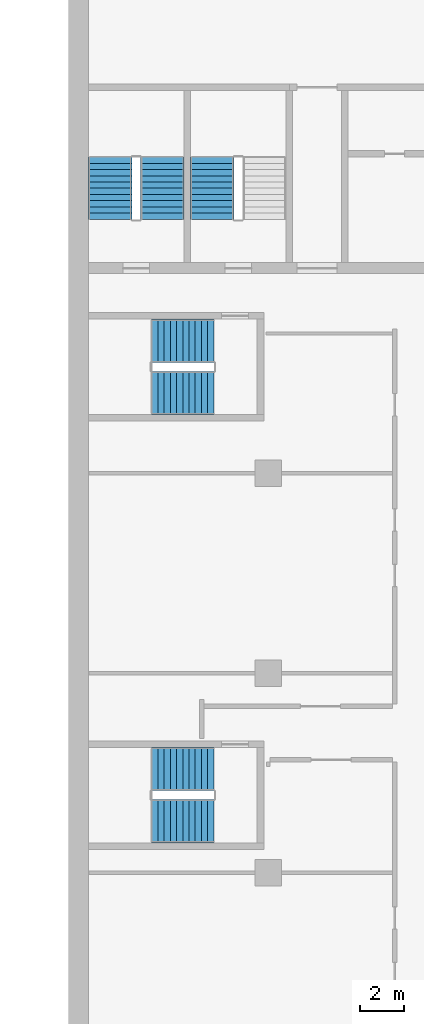
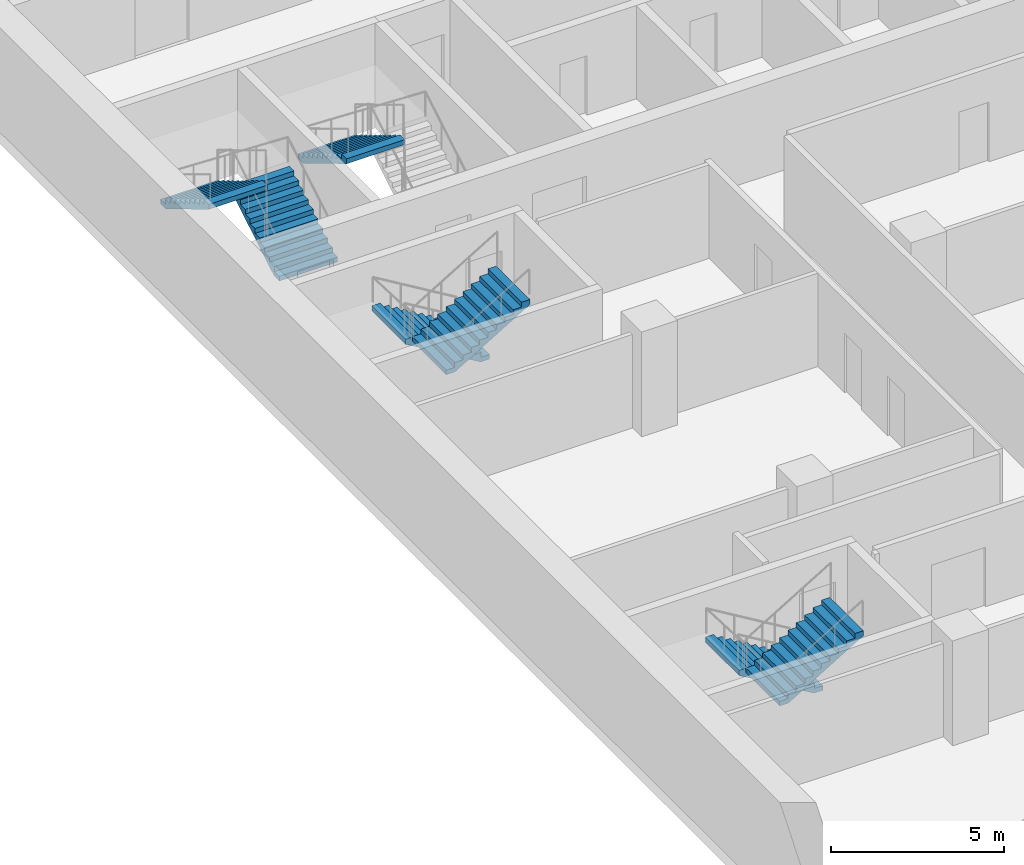
# One storey, part 15 of 22: 7 stair flights, 4 elements without a shape of their own.
"""IFC4 building model written with IfcOpenShell, lengths in metres."""

from ifc_helpers import new_model, si_unit, direction, frame, origin, place, context, subcontext, project, spatial, polyline, outline, extrude, material, type_object, element, aggregate, save


model = new_model("IFC4")

# Units and contexts
model_context = context("Model", 3, precision=1e-05, world=origin(), true_north=direction((0.0, 1.0)))
body_context = subcontext(model_context, "Body", "Model", "MODEL_VIEW")
ifc_project = project(units=[si_unit("LENGTHUNIT", "METRE"), si_unit("AREAUNIT", "SQUARE_METRE"), si_unit("VOLUMEUNIT", "CUBIC_METRE"), si_unit("PLANEANGLEUNIT", "RADIAN"), si_unit("MASSUNIT", "GRAM", prefix="KILO")], contexts=[model_context])

# Site, building, storey
site_placement = place(None, origin())
site = spatial("IfcSite", under=ifc_project, at=site_placement, CompositionType="ELEMENT")
building_placement = place(site_placement, origin())
building = spatial("IfcBuilding", under=site, at=building_placement, Name="Hunhe Ridgeline Campus", CompositionType="ELEMENT")
storey_placement = place(building_placement, frame((0.0, 0.0, 159.699951171875)))
storey = spatial("IfcBuildingStorey", under=building, at=storey_placement, Name="L40", CompositionType="ELEMENT", Elevation=159.699951171875)

# Stair, stair flights
ifc_material = material(Name="Concrete C40", Category="concrete")
stair_type = type_object("IfcStairType", Name="Reinforced concrete dog-leg stair 1950 Concrete C40", PredefinedType="HALF_TURN_STAIR", material=ifc_material)
stair_1_placement = place(storey_placement, origin())
stair_1 = element("IfcStair", 1, at=stair_1_placement, inside=storey, type_object=stair_type, Name="L40 S3", PredefinedType="HALF_TURN_STAIR")
stair_flight_type = type_object("IfcStairFlightType", Name="Reinforced concrete stair flight 1950 Concrete C40", PredefinedType="STRAIGHT", material=ifc_material)
stair_flight_1_placement = place(storey_placement, frame((4.22509765625, 65.449951171875, 0.0), z_axis=(0.0, 0.0, 1.0), x_axis=(0.0, 1.0, 0.0)))
stair_flight_1 = element("IfcStairFlight", 2, at=stair_flight_1_placement, type_object=stair_flight_type, Name="ST3 flight 1", NumberOfRisers=11, NumberOfTreads=10, PredefinedType="STRAIGHT", RiserHeight=0.168181818, TreadLength=0.28, context=body_context, shape_type="SweptSolid", body=[
    extrude(outline(polyline([(0.0, 0.0), (0.0, 0.168212890625), (0.280029296875, 0.168212890625), (0.280029296875, 0.33642578125), (0.56005859375, 0.33642578125), (0.56005859375, 0.504638671875), (0.840087890625, 0.504638671875), (0.840087890625, 0.672607421875), (1.1201171875, 0.672607421875), (1.1201171875, 0.8408203125), (1.39990234375, 0.8408203125), (1.39990234375, 1.009033203125), (1.679931640625, 1.009033203125), (1.679931640625, 1.17724609375), (1.9599609375, 1.17724609375), (1.9599609375, 1.345458984375), (2.239990234375, 1.345458984375), (2.239990234375, 1.513671875), (2.52001953125, 1.513671875), (2.52001953125, 1.681884765625), (2.800048828125, 1.681884765625), (2.800048828125, 1.85009765625), (2.800048828125, 1.5068359375), (0.291015625, 0.0), (0.0, 0.0)])), frame((0.0, 0.97509765625, 0.0), z_axis=(0.0, -1.0, 0.0), x_axis=(1.0, 0.0, 0.0)), (0.0, 0.0, 1.0), 1.949951171875),
    extrude(outline(polyline([(0.030029296875, 0.030029296875), (0.030029296875, 0.13818359375), (0.31005859375, 0.13818359375), (0.31005859375, 0.306396484375), (0.590087890625, 0.306396484375), (0.590087890625, 0.474609375), (0.8701171875, 0.474609375), (0.8701171875, 0.642578125), (1.14990234375, 0.642578125), (1.14990234375, 0.810791015625), (1.429931640625, 0.810791015625), (1.429931640625, 0.97900390625), (1.7099609375, 0.97900390625), (1.7099609375, 1.147216796875), (1.989990234375, 1.147216796875), (1.989990234375, 1.3154296875), (2.27001953125, 1.3154296875), (2.27001953125, 1.483642578125), (2.550048828125, 1.483642578125), (2.550048828125, 1.65185546875), (2.77001953125, 1.65185546875), (2.77001953125, 1.52392578125), (0.28271484375, 0.030029296875), (0.030029296875, 0.030029296875)])), frame((0.0, -0.070068359375, 0.0), z_axis=(0.0, -1.0, 0.0), x_axis=(1.0, 0.0, 0.0)), (0.0, 0.0, 1.0), 0.019775390625),
    extrude(outline(polyline([(0.030029296875, 0.030029296875), (0.030029296875, 0.13818359375), (0.31005859375, 0.13818359375), (0.31005859375, 0.306396484375), (0.590087890625, 0.306396484375), (0.590087890625, 0.474609375), (0.8701171875, 0.474609375), (0.8701171875, 0.642578125), (1.14990234375, 0.642578125), (1.14990234375, 0.810791015625), (1.429931640625, 0.810791015625), (1.429931640625, 0.97900390625), (1.7099609375, 0.97900390625), (1.7099609375, 1.147216796875), (1.989990234375, 1.147216796875), (1.989990234375, 1.3154296875), (2.27001953125, 1.3154296875), (2.27001953125, 1.483642578125), (2.550048828125, 1.483642578125), (2.550048828125, 1.65185546875), (2.77001953125, 1.65185546875), (2.77001953125, 1.52392578125), (0.28271484375, 0.030029296875), (0.030029296875, 0.030029296875)])), frame((0.0, 0.010009765625, 0.0), z_axis=(0.0, -1.0, 0.0), x_axis=(1.0, 0.0, 0.0)), (0.0, 0.0, 1.0), 0.019775390625),
    extrude(outline(polyline([(0.030029296875, 0.030029296875), (0.030029296875, 0.13818359375), (0.31005859375, 0.13818359375), (0.31005859375, 0.306396484375), (0.590087890625, 0.306396484375), (0.590087890625, 0.474609375), (0.8701171875, 0.474609375), (0.8701171875, 0.642578125), (1.14990234375, 0.642578125), (1.14990234375, 0.810791015625), (1.429931640625, 0.810791015625), (1.429931640625, 0.97900390625), (1.7099609375, 0.97900390625), (1.7099609375, 1.147216796875), (1.989990234375, 1.147216796875), (1.989990234375, 1.3154296875), (2.27001953125, 1.3154296875), (2.27001953125, 1.483642578125), (2.550048828125, 1.483642578125), (2.550048828125, 1.65185546875), (2.77001953125, 1.65185546875), (2.77001953125, 1.52392578125), (0.28271484375, 0.030029296875), (0.030029296875, 0.030029296875)])), frame((0.0, 0.090087890625, 0.0), z_axis=(0.0, -1.0, 0.0), x_axis=(1.0, 0.0, 0.0)), (0.0, 0.0, 1.0), 0.019775390625),
])
stair_flight_2_placement = place(storey_placement, frame((1.875, 68.25, 1.85009765625), z_axis=(0.0, 0.0, 1.0), x_axis=(0.0, -1.0, 0.0)))
stair_flight_2 = element("IfcStairFlight", 3, at=stair_flight_2_placement, type_object=stair_flight_type, Name="ST3 flight 2", NumberOfRisers=11, NumberOfTreads=10, PredefinedType="STRAIGHT", RiserHeight=0.168181818, TreadLength=0.28, context=body_context, shape_type="SweptSolid", body=[
    extrude(outline(polyline([(0.0, 0.0), (0.0, 0.168212890625), (0.280029296875, 0.168212890625), (0.280029296875, 0.33642578125), (0.56005859375, 0.33642578125), (0.56005859375, 0.504638671875), (0.840087890625, 0.504638671875), (0.840087890625, 0.672607421875), (1.1201171875, 0.672607421875), (1.1201171875, 0.8408203125), (1.39990234375, 0.8408203125), (1.39990234375, 1.009033203125), (1.679931640625, 1.009033203125), (1.679931640625, 1.17724609375), (1.9599609375, 1.17724609375), (1.9599609375, 1.345458984375), (2.239990234375, 1.345458984375), (2.239990234375, 1.513671875), (2.52001953125, 1.513671875), (2.52001953125, 1.681884765625), (2.800048828125, 1.681884765625), (2.800048828125, 1.85009765625), (2.800048828125, 1.5068359375), (0.291015625, 0.0), (0.0, 0.0)])), frame((0.0, 0.97509765625, 0.0), z_axis=(0.0, -1.0, 0.0), x_axis=(1.0, 0.0, 0.0)), (0.0, 0.0, 1.0), 1.949951171875),
    extrude(outline(polyline([(0.030029296875, 0.030029296875), (0.030029296875, 0.13818359375), (0.31005859375, 0.13818359375), (0.31005859375, 0.306396484375), (0.590087890625, 0.306396484375), (0.590087890625, 0.474609375), (0.8701171875, 0.474609375), (0.8701171875, 0.642578125), (1.14990234375, 0.642578125), (1.14990234375, 0.810791015625), (1.429931640625, 0.810791015625), (1.429931640625, 0.97900390625), (1.7099609375, 0.97900390625), (1.7099609375, 1.147216796875), (1.989990234375, 1.147216796875), (1.989990234375, 1.3154296875), (2.27001953125, 1.3154296875), (2.27001953125, 1.483642578125), (2.550048828125, 1.483642578125), (2.550048828125, 1.65185546875), (2.77001953125, 1.65185546875), (2.77001953125, 1.52392578125), (0.28271484375, 0.030029296875), (0.030029296875, 0.030029296875)])), frame((0.0, -0.070068359375, 0.0), z_axis=(0.0, -1.0, 0.0), x_axis=(1.0, 0.0, 0.0)), (0.0, 0.0, 1.0), 0.019775390625),
    extrude(outline(polyline([(0.030029296875, 0.030029296875), (0.030029296875, 0.13818359375), (0.31005859375, 0.13818359375), (0.31005859375, 0.306396484375), (0.590087890625, 0.306396484375), (0.590087890625, 0.474609375), (0.8701171875, 0.474609375), (0.8701171875, 0.642578125), (1.14990234375, 0.642578125), (1.14990234375, 0.810791015625), (1.429931640625, 0.810791015625), (1.429931640625, 0.97900390625), (1.7099609375, 0.97900390625), (1.7099609375, 1.147216796875), (1.989990234375, 1.147216796875), (1.989990234375, 1.3154296875), (2.27001953125, 1.3154296875), (2.27001953125, 1.483642578125), (2.550048828125, 1.483642578125), (2.550048828125, 1.65185546875), (2.77001953125, 1.65185546875), (2.77001953125, 1.52392578125), (0.28271484375, 0.030029296875), (0.030029296875, 0.030029296875)])), frame((0.0, 0.010009765625, 0.0), z_axis=(0.0, -1.0, 0.0), x_axis=(1.0, 0.0, 0.0)), (0.0, 0.0, 1.0), 0.019775390625),
    extrude(outline(polyline([(0.030029296875, 0.030029296875), (0.030029296875, 0.13818359375), (0.31005859375, 0.13818359375), (0.31005859375, 0.306396484375), (0.590087890625, 0.306396484375), (0.590087890625, 0.474609375), (0.8701171875, 0.474609375), (0.8701171875, 0.642578125), (1.14990234375, 0.642578125), (1.14990234375, 0.810791015625), (1.429931640625, 0.810791015625), (1.429931640625, 0.97900390625), (1.7099609375, 0.97900390625), (1.7099609375, 1.147216796875), (1.989990234375, 1.147216796875), (1.989990234375, 1.3154296875), (2.27001953125, 1.3154296875), (2.27001953125, 1.483642578125), (2.550048828125, 1.483642578125), (2.550048828125, 1.65185546875), (2.77001953125, 1.65185546875), (2.77001953125, 1.52392578125), (0.28271484375, 0.030029296875), (0.030029296875, 0.030029296875)])), frame((0.0, 0.090087890625, 0.0), z_axis=(0.0, -1.0, 0.0), x_axis=(1.0, 0.0, 0.0)), (0.0, 0.0, 1.0), 0.019775390625),
])
aggregate(stair_1, [stair_flight_1, stair_flight_2])

# Stair, stair flight
stair_2_placement = place(storey_placement, origin())
stair_2 = element("IfcStair", 4, at=stair_2_placement, inside=storey, type_object=stair_type, Name="L40 S4", PredefinedType="HALF_TURN_STAIR")
stair_flight_3_placement = place(storey_placement, frame((6.47509765625, 68.25, 1.85009765625), z_axis=(0.0, 0.0, 1.0), x_axis=(0.0, -1.0, 0.0)))
stair_flight_3 = element("IfcStairFlight", 5, at=stair_flight_3_placement, type_object=stair_flight_type, Name="ST4 flight 2", NumberOfRisers=11, NumberOfTreads=10, PredefinedType="STRAIGHT", RiserHeight=0.168181818, TreadLength=0.28, context=body_context, shape_type="SweptSolid", body=[
    extrude(outline(polyline([(0.0, 0.0), (0.0, 0.168212890625), (0.280029296875, 0.168212890625), (0.280029296875, 0.33642578125), (0.56005859375, 0.33642578125), (0.56005859375, 0.504638671875), (0.840087890625, 0.504638671875), (0.840087890625, 0.672607421875), (1.1201171875, 0.672607421875), (1.1201171875, 0.8408203125), (1.39990234375, 0.8408203125), (1.39990234375, 1.009033203125), (1.679931640625, 1.009033203125), (1.679931640625, 1.17724609375), (1.9599609375, 1.17724609375), (1.9599609375, 1.345458984375), (2.239990234375, 1.345458984375), (2.239990234375, 1.513671875), (2.52001953125, 1.513671875), (2.52001953125, 1.681884765625), (2.800048828125, 1.681884765625), (2.800048828125, 1.85009765625), (2.800048828125, 1.5068359375), (0.291015625, 0.0), (0.0, 0.0)])), frame((0.0, 0.97509765625, 0.0), z_axis=(0.0, -1.0, 0.0), x_axis=(1.0, 0.0, 0.0)), (0.0, 0.0, 1.0), 1.949951171875),
    extrude(outline(polyline([(0.030029296875, 0.030029296875), (0.030029296875, 0.13818359375), (0.31005859375, 0.13818359375), (0.31005859375, 0.306396484375), (0.590087890625, 0.306396484375), (0.590087890625, 0.474609375), (0.8701171875, 0.474609375), (0.8701171875, 0.642578125), (1.14990234375, 0.642578125), (1.14990234375, 0.810791015625), (1.429931640625, 0.810791015625), (1.429931640625, 0.97900390625), (1.7099609375, 0.97900390625), (1.7099609375, 1.147216796875), (1.989990234375, 1.147216796875), (1.989990234375, 1.3154296875), (2.27001953125, 1.3154296875), (2.27001953125, 1.483642578125), (2.550048828125, 1.483642578125), (2.550048828125, 1.65185546875), (2.77001953125, 1.65185546875), (2.77001953125, 1.52392578125), (0.28271484375, 0.030029296875), (0.030029296875, 0.030029296875)])), frame((0.0, -0.070068359375, 0.0), z_axis=(0.0, -1.0, 0.0), x_axis=(1.0, 0.0, 0.0)), (0.0, 0.0, 1.0), 0.019775390625),
    extrude(outline(polyline([(0.030029296875, 0.030029296875), (0.030029296875, 0.13818359375), (0.31005859375, 0.13818359375), (0.31005859375, 0.306396484375), (0.590087890625, 0.306396484375), (0.590087890625, 0.474609375), (0.8701171875, 0.474609375), (0.8701171875, 0.642578125), (1.14990234375, 0.642578125), (1.14990234375, 0.810791015625), (1.429931640625, 0.810791015625), (1.429931640625, 0.97900390625), (1.7099609375, 0.97900390625), (1.7099609375, 1.147216796875), (1.989990234375, 1.147216796875), (1.989990234375, 1.3154296875), (2.27001953125, 1.3154296875), (2.27001953125, 1.483642578125), (2.550048828125, 1.483642578125), (2.550048828125, 1.65185546875), (2.77001953125, 1.65185546875), (2.77001953125, 1.52392578125), (0.28271484375, 0.030029296875), (0.030029296875, 0.030029296875)])), frame((0.0, 0.010009765625, 0.0), z_axis=(0.0, -1.0, 0.0), x_axis=(1.0, 0.0, 0.0)), (0.0, 0.0, 1.0), 0.019775390625),
    extrude(outline(polyline([(0.030029296875, 0.030029296875), (0.030029296875, 0.13818359375), (0.31005859375, 0.13818359375), (0.31005859375, 0.306396484375), (0.590087890625, 0.306396484375), (0.590087890625, 0.474609375), (0.8701171875, 0.474609375), (0.8701171875, 0.642578125), (1.14990234375, 0.642578125), (1.14990234375, 0.810791015625), (1.429931640625, 0.810791015625), (1.429931640625, 0.97900390625), (1.7099609375, 0.97900390625), (1.7099609375, 1.147216796875), (1.989990234375, 1.147216796875), (1.989990234375, 1.3154296875), (2.27001953125, 1.3154296875), (2.27001953125, 1.483642578125), (2.550048828125, 1.483642578125), (2.550048828125, 1.65185546875), (2.77001953125, 1.65185546875), (2.77001953125, 1.52392578125), (0.28271484375, 0.030029296875), (0.030029296875, 0.030029296875)])), frame((0.0, 0.090087890625, 0.0), z_axis=(0.0, -1.0, 0.0), x_axis=(1.0, 0.0, 0.0)), (0.0, 0.0, 1.0), 0.019775390625),
])
aggregate(stair_2, [stair_flight_3])

# Stair, stair flights
stair_3_placement = place(storey_placement, origin())
stair_3 = element("IfcStair", 6, at=stair_3_placement, inside=storey, type_object=stair_type, Name="L40 W1", PredefinedType="HALF_TURN_STAIR")
stair_flight_4_placement = place(storey_placement, frame((6.550048828125, 40.675048828125, 0.0), z_axis=(0.0, 0.0, 1.0), x_axis=(-1.0, 0.0, 0.0)))
stair_flight_4 = element("IfcStairFlight", 7, at=stair_flight_4_placement, type_object=stair_flight_type, Name="ST11 flight 1", NumberOfRisers=11, NumberOfTreads=10, PredefinedType="STRAIGHT", RiserHeight=0.168181818, TreadLength=0.28, context=body_context, shape_type="SweptSolid", body=[
    extrude(outline(polyline([(0.0, 0.0), (0.0, 0.168212890625), (0.280029296875, 0.168212890625), (0.280029296875, 0.33642578125), (0.56005859375, 0.33642578125), (0.56005859375, 0.504638671875), (0.840087890625, 0.504638671875), (0.840087890625, 0.672607421875), (1.1201171875, 0.672607421875), (1.1201171875, 0.8408203125), (1.39990234375, 0.8408203125), (1.39990234375, 1.009033203125), (1.679931640625, 1.009033203125), (1.679931640625, 1.17724609375), (1.9599609375, 1.17724609375), (1.9599609375, 1.345458984375), (2.239990234375, 1.345458984375), (2.239990234375, 1.513671875), (2.52001953125, 1.513671875), (2.52001953125, 1.681884765625), (2.800048828125, 1.681884765625), (2.800048828125, 1.85009765625), (2.800048828125, 1.5068359375), (0.291015625, 0.0), (0.0, 0.0)])), frame((0.0, 0.97509765625, 0.0), z_axis=(0.0, -1.0, 0.0), x_axis=(1.0, 0.0, 0.0)), (0.0, 0.0, 1.0), 1.949951171875),
    extrude(outline(polyline([(0.030029296875, 0.030029296875), (0.030029296875, 0.13818359375), (0.31005859375, 0.13818359375), (0.31005859375, 0.306396484375), (0.590087890625, 0.306396484375), (0.590087890625, 0.474609375), (0.8701171875, 0.474609375), (0.8701171875, 0.642578125), (1.14990234375, 0.642578125), (1.14990234375, 0.810791015625), (1.429931640625, 0.810791015625), (1.429931640625, 0.97900390625), (1.7099609375, 0.97900390625), (1.7099609375, 1.147216796875), (1.989990234375, 1.147216796875), (1.989990234375, 1.3154296875), (2.27001953125, 1.3154296875), (2.27001953125, 1.483642578125), (2.550048828125, 1.483642578125), (2.550048828125, 1.65185546875), (2.77001953125, 1.65185546875), (2.77001953125, 1.52392578125), (0.28271484375, 0.030029296875), (0.030029296875, 0.030029296875)])), frame((0.0, -0.070068359375, 0.0), z_axis=(0.0, -1.0, 0.0), x_axis=(1.0, 0.0, 0.0)), (0.0, 0.0, 1.0), 0.019775390625),
    extrude(outline(polyline([(0.030029296875, 0.030029296875), (0.030029296875, 0.13818359375), (0.31005859375, 0.13818359375), (0.31005859375, 0.306396484375), (0.590087890625, 0.306396484375), (0.590087890625, 0.474609375), (0.8701171875, 0.474609375), (0.8701171875, 0.642578125), (1.14990234375, 0.642578125), (1.14990234375, 0.810791015625), (1.429931640625, 0.810791015625), (1.429931640625, 0.97900390625), (1.7099609375, 0.97900390625), (1.7099609375, 1.147216796875), (1.989990234375, 1.147216796875), (1.989990234375, 1.3154296875), (2.27001953125, 1.3154296875), (2.27001953125, 1.483642578125), (2.550048828125, 1.483642578125), (2.550048828125, 1.65185546875), (2.77001953125, 1.65185546875), (2.77001953125, 1.52392578125), (0.28271484375, 0.030029296875), (0.030029296875, 0.030029296875)])), frame((0.0, 0.010009765625, 0.0), z_axis=(0.0, -1.0, 0.0), x_axis=(1.0, 0.0, 0.0)), (0.0, 0.0, 1.0), 0.019775390625),
    extrude(outline(polyline([(0.030029296875, 0.030029296875), (0.030029296875, 0.13818359375), (0.31005859375, 0.13818359375), (0.31005859375, 0.306396484375), (0.590087890625, 0.306396484375), (0.590087890625, 0.474609375), (0.8701171875, 0.474609375), (0.8701171875, 0.642578125), (1.14990234375, 0.642578125), (1.14990234375, 0.810791015625), (1.429931640625, 0.810791015625), (1.429931640625, 0.97900390625), (1.7099609375, 0.97900390625), (1.7099609375, 1.147216796875), (1.989990234375, 1.147216796875), (1.989990234375, 1.3154296875), (2.27001953125, 1.3154296875), (2.27001953125, 1.483642578125), (2.550048828125, 1.483642578125), (2.550048828125, 1.65185546875), (2.77001953125, 1.65185546875), (2.77001953125, 1.52392578125), (0.28271484375, 0.030029296875), (0.030029296875, 0.030029296875)])), frame((0.0, 0.090087890625, 0.0), z_axis=(0.0, -1.0, 0.0), x_axis=(1.0, 0.0, 0.0)), (0.0, 0.0, 1.0), 0.019775390625),
])
stair_flight_5_placement = place(storey_placement, frame((3.75, 38.324951171875, 1.85009765625), z_axis=(0.0, 0.0, 1.0), x_axis=(1.0, 0.0, 0.0)))
stair_flight_5 = element("IfcStairFlight", 8, at=stair_flight_5_placement, type_object=stair_flight_type, Name="ST11 flight 2", NumberOfRisers=11, NumberOfTreads=10, PredefinedType="STRAIGHT", RiserHeight=0.168181818, TreadLength=0.28, context=body_context, shape_type="SweptSolid", body=[
    extrude(outline(polyline([(0.0, 0.0), (0.0, 0.168212890625), (0.280029296875, 0.168212890625), (0.280029296875, 0.33642578125), (0.56005859375, 0.33642578125), (0.56005859375, 0.504638671875), (0.840087890625, 0.504638671875), (0.840087890625, 0.672607421875), (1.1201171875, 0.672607421875), (1.1201171875, 0.8408203125), (1.39990234375, 0.8408203125), (1.39990234375, 1.009033203125), (1.679931640625, 1.009033203125), (1.679931640625, 1.17724609375), (1.9599609375, 1.17724609375), (1.9599609375, 1.345458984375), (2.239990234375, 1.345458984375), (2.239990234375, 1.513671875), (2.52001953125, 1.513671875), (2.52001953125, 1.681884765625), (2.800048828125, 1.681884765625), (2.800048828125, 1.85009765625), (2.800048828125, 1.5068359375), (0.291015625, 0.0), (0.0, 0.0)])), frame((0.0, 0.97509765625, 0.0), z_axis=(0.0, -1.0, 0.0), x_axis=(1.0, 0.0, 0.0)), (0.0, 0.0, 1.0), 1.949951171875),
    extrude(outline(polyline([(0.030029296875, 0.030029296875), (0.030029296875, 0.13818359375), (0.31005859375, 0.13818359375), (0.31005859375, 0.306396484375), (0.590087890625, 0.306396484375), (0.590087890625, 0.474609375), (0.8701171875, 0.474609375), (0.8701171875, 0.642578125), (1.14990234375, 0.642578125), (1.14990234375, 0.810791015625), (1.429931640625, 0.810791015625), (1.429931640625, 0.97900390625), (1.7099609375, 0.97900390625), (1.7099609375, 1.147216796875), (1.989990234375, 1.147216796875), (1.989990234375, 1.3154296875), (2.27001953125, 1.3154296875), (2.27001953125, 1.483642578125), (2.550048828125, 1.483642578125), (2.550048828125, 1.65185546875), (2.77001953125, 1.65185546875), (2.77001953125, 1.52392578125), (0.28271484375, 0.030029296875), (0.030029296875, 0.030029296875)])), frame((0.0, -0.070068359375, 0.0), z_axis=(0.0, -1.0, 0.0), x_axis=(1.0, 0.0, 0.0)), (0.0, 0.0, 1.0), 0.019775390625),
    extrude(outline(polyline([(0.030029296875, 0.030029296875), (0.030029296875, 0.13818359375), (0.31005859375, 0.13818359375), (0.31005859375, 0.306396484375), (0.590087890625, 0.306396484375), (0.590087890625, 0.474609375), (0.8701171875, 0.474609375), (0.8701171875, 0.642578125), (1.14990234375, 0.642578125), (1.14990234375, 0.810791015625), (1.429931640625, 0.810791015625), (1.429931640625, 0.97900390625), (1.7099609375, 0.97900390625), (1.7099609375, 1.147216796875), (1.989990234375, 1.147216796875), (1.989990234375, 1.3154296875), (2.27001953125, 1.3154296875), (2.27001953125, 1.483642578125), (2.550048828125, 1.483642578125), (2.550048828125, 1.65185546875), (2.77001953125, 1.65185546875), (2.77001953125, 1.52392578125), (0.28271484375, 0.030029296875), (0.030029296875, 0.030029296875)])), frame((0.0, 0.010009765625, 0.0), z_axis=(0.0, -1.0, 0.0), x_axis=(1.0, 0.0, 0.0)), (0.0, 0.0, 1.0), 0.019775390625),
    extrude(outline(polyline([(0.030029296875, 0.030029296875), (0.030029296875, 0.13818359375), (0.31005859375, 0.13818359375), (0.31005859375, 0.306396484375), (0.590087890625, 0.306396484375), (0.590087890625, 0.474609375), (0.8701171875, 0.474609375), (0.8701171875, 0.642578125), (1.14990234375, 0.642578125), (1.14990234375, 0.810791015625), (1.429931640625, 0.810791015625), (1.429931640625, 0.97900390625), (1.7099609375, 0.97900390625), (1.7099609375, 1.147216796875), (1.989990234375, 1.147216796875), (1.989990234375, 1.3154296875), (2.27001953125, 1.3154296875), (2.27001953125, 1.483642578125), (2.550048828125, 1.483642578125), (2.550048828125, 1.65185546875), (2.77001953125, 1.65185546875), (2.77001953125, 1.52392578125), (0.28271484375, 0.030029296875), (0.030029296875, 0.030029296875)])), frame((0.0, 0.090087890625, 0.0), z_axis=(0.0, -1.0, 0.0), x_axis=(1.0, 0.0, 0.0)), (0.0, 0.0, 1.0), 0.019775390625),
])
aggregate(stair_3, [stair_flight_4, stair_flight_5])

stair_4_placement = place(storey_placement, origin())
stair_4 = element("IfcStair", 9, at=stair_4_placement, inside=storey, type_object=stair_type, Name="L40 W2", PredefinedType="HALF_TURN_STAIR")
stair_flight_6_placement = place(storey_placement, frame((6.550048828125, 59.97509765625, 0.0), z_axis=(0.0, 0.0, 1.0), x_axis=(-1.0, 0.0, 0.0)))
stair_flight_6 = element("IfcStairFlight", 10, at=stair_flight_6_placement, type_object=stair_flight_type, Name="ST12 flight 1", NumberOfRisers=11, NumberOfTreads=10, PredefinedType="STRAIGHT", RiserHeight=0.168181818, TreadLength=0.28, context=body_context, shape_type="SweptSolid", body=[
    extrude(outline(polyline([(0.0, 0.0), (0.0, 0.168212890625), (0.280029296875, 0.168212890625), (0.280029296875, 0.33642578125), (0.56005859375, 0.33642578125), (0.56005859375, 0.504638671875), (0.840087890625, 0.504638671875), (0.840087890625, 0.672607421875), (1.1201171875, 0.672607421875), (1.1201171875, 0.8408203125), (1.39990234375, 0.8408203125), (1.39990234375, 1.009033203125), (1.679931640625, 1.009033203125), (1.679931640625, 1.17724609375), (1.9599609375, 1.17724609375), (1.9599609375, 1.345458984375), (2.239990234375, 1.345458984375), (2.239990234375, 1.513671875), (2.52001953125, 1.513671875), (2.52001953125, 1.681884765625), (2.800048828125, 1.681884765625), (2.800048828125, 1.85009765625), (2.800048828125, 1.5068359375), (0.291015625, 0.0), (0.0, 0.0)])), frame((0.0, 0.97509765625, 0.0), z_axis=(0.0, -1.0, 0.0), x_axis=(1.0, 0.0, 0.0)), (0.0, 0.0, 1.0), 1.949951171875),
    extrude(outline(polyline([(0.030029296875, 0.030029296875), (0.030029296875, 0.13818359375), (0.31005859375, 0.13818359375), (0.31005859375, 0.306396484375), (0.590087890625, 0.306396484375), (0.590087890625, 0.474609375), (0.8701171875, 0.474609375), (0.8701171875, 0.642578125), (1.14990234375, 0.642578125), (1.14990234375, 0.810791015625), (1.429931640625, 0.810791015625), (1.429931640625, 0.97900390625), (1.7099609375, 0.97900390625), (1.7099609375, 1.147216796875), (1.989990234375, 1.147216796875), (1.989990234375, 1.3154296875), (2.27001953125, 1.3154296875), (2.27001953125, 1.483642578125), (2.550048828125, 1.483642578125), (2.550048828125, 1.65185546875), (2.77001953125, 1.65185546875), (2.77001953125, 1.52392578125), (0.28271484375, 0.030029296875), (0.030029296875, 0.030029296875)])), frame((0.0, -0.070068359375, 0.0), z_axis=(0.0, -1.0, 0.0), x_axis=(1.0, 0.0, 0.0)), (0.0, 0.0, 1.0), 0.019775390625),
    extrude(outline(polyline([(0.030029296875, 0.030029296875), (0.030029296875, 0.13818359375), (0.31005859375, 0.13818359375), (0.31005859375, 0.306396484375), (0.590087890625, 0.306396484375), (0.590087890625, 0.474609375), (0.8701171875, 0.474609375), (0.8701171875, 0.642578125), (1.14990234375, 0.642578125), (1.14990234375, 0.810791015625), (1.429931640625, 0.810791015625), (1.429931640625, 0.97900390625), (1.7099609375, 0.97900390625), (1.7099609375, 1.147216796875), (1.989990234375, 1.147216796875), (1.989990234375, 1.3154296875), (2.27001953125, 1.3154296875), (2.27001953125, 1.483642578125), (2.550048828125, 1.483642578125), (2.550048828125, 1.65185546875), (2.77001953125, 1.65185546875), (2.77001953125, 1.52392578125), (0.28271484375, 0.030029296875), (0.030029296875, 0.030029296875)])), frame((0.0, 0.010009765625, 0.0), z_axis=(0.0, -1.0, 0.0), x_axis=(1.0, 0.0, 0.0)), (0.0, 0.0, 1.0), 0.019775390625),
    extrude(outline(polyline([(0.030029296875, 0.030029296875), (0.030029296875, 0.13818359375), (0.31005859375, 0.13818359375), (0.31005859375, 0.306396484375), (0.590087890625, 0.306396484375), (0.590087890625, 0.474609375), (0.8701171875, 0.474609375), (0.8701171875, 0.642578125), (1.14990234375, 0.642578125), (1.14990234375, 0.810791015625), (1.429931640625, 0.810791015625), (1.429931640625, 0.97900390625), (1.7099609375, 0.97900390625), (1.7099609375, 1.147216796875), (1.989990234375, 1.147216796875), (1.989990234375, 1.3154296875), (2.27001953125, 1.3154296875), (2.27001953125, 1.483642578125), (2.550048828125, 1.483642578125), (2.550048828125, 1.65185546875), (2.77001953125, 1.65185546875), (2.77001953125, 1.52392578125), (0.28271484375, 0.030029296875), (0.030029296875, 0.030029296875)])), frame((0.0, 0.090087890625, 0.0), z_axis=(0.0, -1.0, 0.0), x_axis=(1.0, 0.0, 0.0)), (0.0, 0.0, 1.0), 0.019775390625),
])
stair_flight_7_placement = place(storey_placement, frame((3.75, 57.625, 1.85009765625), z_axis=(0.0, 0.0, 1.0), x_axis=(1.0, 0.0, 0.0)))
stair_flight_7 = element("IfcStairFlight", 11, at=stair_flight_7_placement, type_object=stair_flight_type, Name="ST12 flight 2", NumberOfRisers=11, NumberOfTreads=10, PredefinedType="STRAIGHT", RiserHeight=0.168181818, TreadLength=0.28, context=body_context, shape_type="SweptSolid", body=[
    extrude(outline(polyline([(0.0, 0.0), (0.0, 0.168212890625), (0.280029296875, 0.168212890625), (0.280029296875, 0.33642578125), (0.56005859375, 0.33642578125), (0.56005859375, 0.504638671875), (0.840087890625, 0.504638671875), (0.840087890625, 0.672607421875), (1.1201171875, 0.672607421875), (1.1201171875, 0.8408203125), (1.39990234375, 0.8408203125), (1.39990234375, 1.009033203125), (1.679931640625, 1.009033203125), (1.679931640625, 1.17724609375), (1.9599609375, 1.17724609375), (1.9599609375, 1.345458984375), (2.239990234375, 1.345458984375), (2.239990234375, 1.513671875), (2.52001953125, 1.513671875), (2.52001953125, 1.681884765625), (2.800048828125, 1.681884765625), (2.800048828125, 1.85009765625), (2.800048828125, 1.5068359375), (0.291015625, 0.0), (0.0, 0.0)])), frame((0.0, 0.97509765625, 0.0), z_axis=(0.0, -1.0, 0.0), x_axis=(1.0, 0.0, 0.0)), (0.0, 0.0, 1.0), 1.949951171875),
    extrude(outline(polyline([(0.030029296875, 0.030029296875), (0.030029296875, 0.13818359375), (0.31005859375, 0.13818359375), (0.31005859375, 0.306396484375), (0.590087890625, 0.306396484375), (0.590087890625, 0.474609375), (0.8701171875, 0.474609375), (0.8701171875, 0.642578125), (1.14990234375, 0.642578125), (1.14990234375, 0.810791015625), (1.429931640625, 0.810791015625), (1.429931640625, 0.97900390625), (1.7099609375, 0.97900390625), (1.7099609375, 1.147216796875), (1.989990234375, 1.147216796875), (1.989990234375, 1.3154296875), (2.27001953125, 1.3154296875), (2.27001953125, 1.483642578125), (2.550048828125, 1.483642578125), (2.550048828125, 1.65185546875), (2.77001953125, 1.65185546875), (2.77001953125, 1.52392578125), (0.28271484375, 0.030029296875), (0.030029296875, 0.030029296875)])), frame((0.0, -0.070068359375, 0.0), z_axis=(0.0, -1.0, 0.0), x_axis=(1.0, 0.0, 0.0)), (0.0, 0.0, 1.0), 0.019775390625),
    extrude(outline(polyline([(0.030029296875, 0.030029296875), (0.030029296875, 0.13818359375), (0.31005859375, 0.13818359375), (0.31005859375, 0.306396484375), (0.590087890625, 0.306396484375), (0.590087890625, 0.474609375), (0.8701171875, 0.474609375), (0.8701171875, 0.642578125), (1.14990234375, 0.642578125), (1.14990234375, 0.810791015625), (1.429931640625, 0.810791015625), (1.429931640625, 0.97900390625), (1.7099609375, 0.97900390625), (1.7099609375, 1.147216796875), (1.989990234375, 1.147216796875), (1.989990234375, 1.3154296875), (2.27001953125, 1.3154296875), (2.27001953125, 1.483642578125), (2.550048828125, 1.483642578125), (2.550048828125, 1.65185546875), (2.77001953125, 1.65185546875), (2.77001953125, 1.52392578125), (0.28271484375, 0.030029296875), (0.030029296875, 0.030029296875)])), frame((0.0, 0.010009765625, 0.0), z_axis=(0.0, -1.0, 0.0), x_axis=(1.0, 0.0, 0.0)), (0.0, 0.0, 1.0), 0.019775390625),
    extrude(outline(polyline([(0.030029296875, 0.030029296875), (0.030029296875, 0.13818359375), (0.31005859375, 0.13818359375), (0.31005859375, 0.306396484375), (0.590087890625, 0.306396484375), (0.590087890625, 0.474609375), (0.8701171875, 0.474609375), (0.8701171875, 0.642578125), (1.14990234375, 0.642578125), (1.14990234375, 0.810791015625), (1.429931640625, 0.810791015625), (1.429931640625, 0.97900390625), (1.7099609375, 0.97900390625), (1.7099609375, 1.147216796875), (1.989990234375, 1.147216796875), (1.989990234375, 1.3154296875), (2.27001953125, 1.3154296875), (2.27001953125, 1.483642578125), (2.550048828125, 1.483642578125), (2.550048828125, 1.65185546875), (2.77001953125, 1.65185546875), (2.77001953125, 1.52392578125), (0.28271484375, 0.030029296875), (0.030029296875, 0.030029296875)])), frame((0.0, 0.090087890625, 0.0), z_axis=(0.0, -1.0, 0.0), x_axis=(1.0, 0.0, 0.0)), (0.0, 0.0, 1.0), 0.019775390625),
])
aggregate(stair_4, [stair_flight_6, stair_flight_7])

save(model, "model.ifc")
